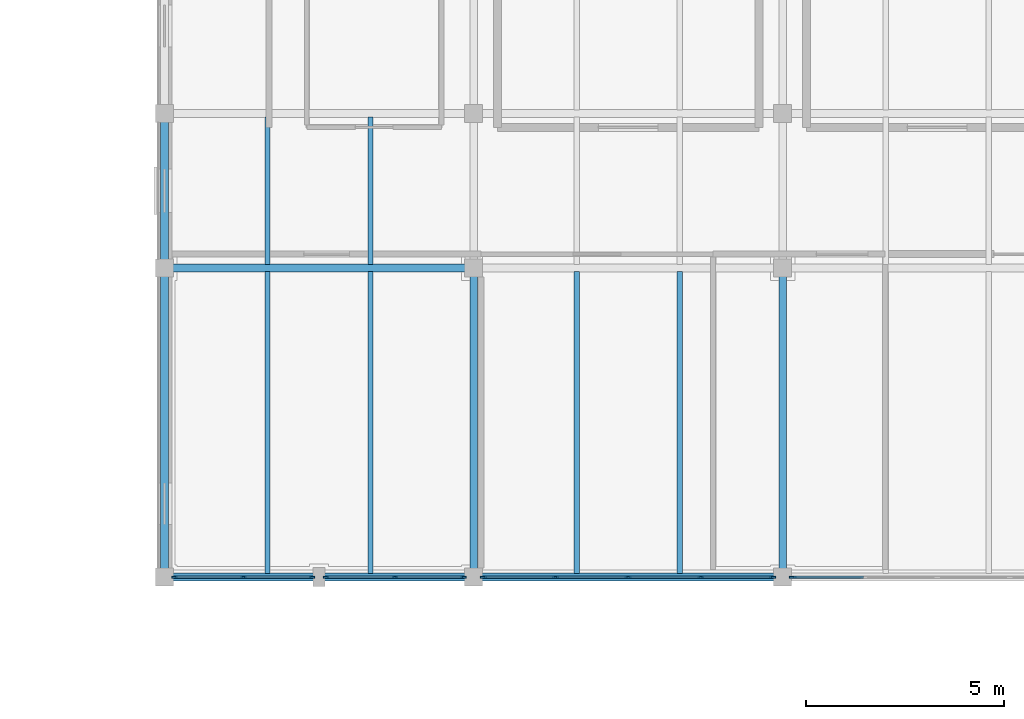
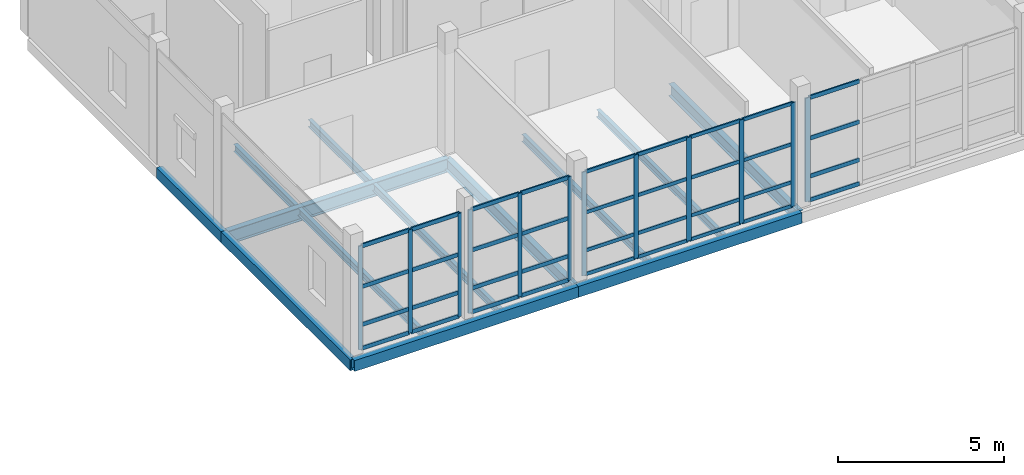
# One storey, part 8 of 45: 48 members, 13 beams, 4 elements without a shape of their own.
"""IFC4 building model written with IfcOpenShell, lengths in metres."""

from ifc_helpers import new_model, si_unit, direction, frame, origin, origin_2d, place, context, subcontext, project, spatial, rectangle, hollow_rectangle, i_section, extrude, material, layer, layer_set, material_profile, profile_set, type_object, element, aggregate, save


model = new_model("IFC4")

# Units and contexts
model_context = context("Model", 3, precision=1e-05, world=origin(), true_north=direction((0.0, 1.0)))
body_context = subcontext(model_context, "Body", "Model", "MODEL_VIEW")
ifc_project = project(units=[si_unit("LENGTHUNIT", "METRE"), si_unit("AREAUNIT", "SQUARE_METRE"), si_unit("VOLUMEUNIT", "CUBIC_METRE"), si_unit("PLANEANGLEUNIT", "RADIAN"), si_unit("MASSUNIT", "GRAM", prefix="KILO")], contexts=[model_context])

# Site, building, storey
site_placement = place(None, origin())
site = spatial("IfcSite", under=ifc_project, at=site_placement, CompositionType="ELEMENT")
building_placement = place(site_placement, origin())
building = spatial("IfcBuilding", under=site, at=building_placement, Name="Celorna Specialist Clinic", CompositionType="ELEMENT")
storey_placement = place(building_placement, frame((0.0, 0.0, 18.60009765625)))
storey = spatial("IfcBuildingStorey", under=building, at=storey_placement, Name="L04", CompositionType="ELEMENT", Elevation=18.60009765625)

# Beams
ifc_material_1 = material(Name="Steel S355", Category="steel")
ifc_material_profile_1 = material_profile(ifc_material_1, i_section(OverallWidth=0.199951171875, OverallDepth=0.5, WebThickness=0.01025390625, FlangeThickness=0.01611328125, at=origin_2d()), Name="IPE 500")
ifc_profile_set_1 = profile_set([ifc_material_profile_1], Name="Steel S355")
beam_type_1 = type_object("IfcBeamType", Name="BM-08", PredefinedType="BEAM", material=ifc_profile_set_1)
beam_1_placement = place(storey_placement, frame((46.800048828125, 104.300048828125, -0.530029296875), z_axis=(1.0, 0.0, 0.0), x_axis=(0.0, 1.0, 0.0)))
element("IfcBeam", 1, at=beam_1_placement, inside=storey, type_object=beam_type_1, Name="Primary girder BM-08 #1345", PredefinedType="BEAM", context=body_context, shape_type="SweptSolid", body=[
    extrude(i_section(OverallWidth=0.199951171875, OverallDepth=0.5, WebThickness=0.01025390625, FlangeThickness=0.01611328125, at=origin_2d()), origin(), (0.0, 0.0, 1.0), 7.800048828125),
])
ifc_material_profile_2 = material_profile(ifc_material_1, i_section(OverallWidth=0.18994140625, OverallDepth=0.449951171875, WebThickness=0.009521484375, FlangeThickness=0.0146484375, at=origin_2d()), Name="IPE 450")
ifc_profile_set_2 = profile_set([ifc_material_profile_2], Name="Steel S355")
beam_type_2 = type_object("IfcBeamType", Name="BM-09", PredefinedType="BEAM", material=ifc_profile_set_2)
for number, where, z_axis, x_axis, name in (
    (2, (54.60009765625, 96.5, -0.505126953125), (0.0, 1.0, 0.0), (-1.0, 0.0, 0.0), "Transverse girder BM-09 #1366"),
    (3, (62.39990234375, 96.5, -0.505126953125), (0.0, 1.0, 0.0), (-1.0, 0.0, 0.0), "Transverse girder BM-09 #1369"),
):
    element("IfcBeam", number, at=place(storey_placement, frame(where, z_axis=z_axis, x_axis=x_axis)), inside=storey, type_object=beam_type_2, Name=name, PredefinedType="BEAM", context=body_context, shape_type="SweptSolid", body=[
        extrude(i_section(OverallWidth=0.18994140625, OverallDepth=0.449951171875, WebThickness=0.009521484375, FlangeThickness=0.0146484375, at=origin_2d()), origin(), (0.0, 0.0, 1.0), 7.800048828125),
    ])
ifc_material_profile_3 = material_profile(ifc_material_1, i_section(OverallWidth=0.135009765625, OverallDepth=0.27001953125, WebThickness=0.006591796875, FlangeThickness=0.01025390625, at=origin_2d()), Name="IPE 270")
ifc_profile_set_3 = profile_set([ifc_material_profile_3], Name="Steel S355")
beam_type_3 = type_object("IfcBeamType", Name="BM-14", PredefinedType="JOIST", material=ifc_profile_set_3)
for number, where, z_axis, x_axis, name in (
    (4, (49.39990234375, 96.587890625, -0.4150390625), (0.0, 1.0, 0.0), (-1.0, 0.0, 0.0), "Secondary floor joist BM-14 #1384"),
    (5, (52.0, 96.587890625, -0.4150390625), (0.0, 1.0, 0.0), (-1.0, 0.0, 0.0), "Secondary floor joist BM-14 #1385"),
):
    element("IfcBeam", number, at=place(storey_placement, frame(where, z_axis=z_axis, x_axis=x_axis)), inside=storey, type_object=beam_type_3, Name=name, PredefinedType="JOIST", context=body_context, shape_type="SweptSolid", body=[
        extrude(i_section(OverallWidth=0.135009765625, OverallDepth=0.27001953125, WebThickness=0.006591796875, FlangeThickness=0.01025390625, at=origin_2d()), origin(), (0.0, 0.0, 1.0), 7.6240234375),
    ])
for number, where, z_axis, x_axis, name in (
    (6, (49.39990234375, 104.387939453125, -0.4150390625), (0.0, 1.0, 0.0), (-1.0, 0.0, 0.0), "Secondary floor joist BM-14 #1386"),
    (7, (52.0, 104.387939453125, -0.4150390625), (0.0, 1.0, 0.0), (-1.0, 0.0, 0.0), "Secondary floor joist BM-14 #1387"),
):
    element("IfcBeam", number, at=place(storey_placement, frame(where, z_axis=z_axis, x_axis=x_axis)), inside=storey, type_object=beam_type_3, Name=name, PredefinedType="JOIST", context=body_context, shape_type="SweptSolid", body=[
        extrude(i_section(OverallWidth=0.135009765625, OverallDepth=0.27001953125, WebThickness=0.006591796875, FlangeThickness=0.01025390625, at=origin_2d()), origin(), (0.0, 0.0, 1.0), 3.72412109375),
    ])
for number, where, z_axis, x_axis, name in (
    (8, (57.199951171875, 96.587890625, -0.4150390625), (0.0, 1.0, 0.0), (-1.0, 0.0, 0.0), "Secondary floor joist BM-14 #1388"),
    (9, (59.800048828125, 96.587890625, -0.4150390625), (0.0, 1.0, 0.0), (-1.0, 0.0, 0.0), "Secondary floor joist BM-14 #1389"),
):
    element("IfcBeam", number, at=place(storey_placement, frame(where, z_axis=z_axis, x_axis=x_axis)), inside=storey, type_object=beam_type_3, Name=name, PredefinedType="JOIST", context=body_context, shape_type="SweptSolid", body=[
        extrude(i_section(OverallWidth=0.135009765625, OverallDepth=0.27001953125, WebThickness=0.006591796875, FlangeThickness=0.01025390625, at=origin_2d()), origin(), (0.0, 0.0, 1.0), 7.6240234375),
    ])
ifc_material_profile_4 = material_profile(ifc_material_1, hollow_rectangle(XDim=0.199951171875, YDim=0.39990234375, WallThickness=0.011962890625, at=origin_2d()), Name="RHS 200x400x12")
ifc_profile_set_4 = profile_set([ifc_material_profile_4], Name="Steel S355")
beam_type_4 = type_object("IfcBeamType", Name="BM-15", PredefinedType="SPANDREL", material=ifc_profile_set_4)
beam_2_placement = place(storey_placement, frame((46.800048828125, 96.5, -0.47998046875), z_axis=(1.0, 0.0, 0.0), x_axis=(0.0, 1.0, 0.0)))
element("IfcBeam", 10, at=beam_2_placement, inside=storey, type_object=beam_type_4, Name="Spandrel beam BM-15 #1339", PredefinedType="SPANDREL", context=body_context, shape_type="SweptSolid", body=[
    extrude(hollow_rectangle(XDim=0.199951171875, YDim=0.39990234375, WallThickness=0.011962890625, at=origin_2d()), origin(), (0.0, 0.0, 1.0), 7.800048828125),
])
beam_3_placement = place(storey_placement, frame((54.60009765625, 96.5, -0.47998046875), z_axis=(1.0, 0.0, 0.0), x_axis=(0.0, 1.0, 0.0)))
element("IfcBeam", 11, at=beam_3_placement, inside=storey, type_object=beam_type_4, Name="Spandrel beam BM-15 #1340", PredefinedType="SPANDREL", context=body_context, shape_type="SweptSolid", body=[
    extrude(hollow_rectangle(XDim=0.199951171875, YDim=0.39990234375, WallThickness=0.011962890625, at=origin_2d()), origin(), (0.0, 0.0, 1.0), 7.7998046875),
])
beam_4_placement = place(storey_placement, frame((46.800048828125, 96.5, -0.47998046875), z_axis=(0.0, 1.0, 0.0), x_axis=(-1.0, 0.0, 0.0)))
element("IfcBeam", 12, at=beam_4_placement, inside=storey, type_object=beam_type_4, Name="Spandrel beam BM-15 #1363", PredefinedType="SPANDREL", context=body_context, shape_type="SweptSolid", body=[
    extrude(hollow_rectangle(XDim=0.199951171875, YDim=0.39990234375, WallThickness=0.011962890625, at=origin_2d()), origin(), (0.0, 0.0, 1.0), 7.800048828125),
])
beam_5_placement = place(storey_placement, frame((46.800048828125, 104.300048828125, -0.47998046875), z_axis=(0.0, 1.0, 0.0), x_axis=(-1.0, 0.0, 0.0)))
element("IfcBeam", 13, at=beam_5_placement, inside=storey, type_object=beam_type_4, Name="Spandrel beam BM-15 #1364", PredefinedType="SPANDREL", context=body_context, shape_type="SweptSolid", body=[
    extrude(hollow_rectangle(XDim=0.199951171875, YDim=0.39990234375, WallThickness=0.011962890625, at=origin_2d()), origin(), (0.0, 0.0, 1.0), 3.89990234375),
])

# Curtain wall, members
ifc_material_2 = material(Name="Thermally broken aluminium and solar-control glass curtain wall", Category="aluminium")
ifc_layer_1 = layer(ifc_material_2, 0.159912109375, Name="Thermally broken aluminium and solar-control glass curtain wall")
ifc_layer_set_1 = layer_set([ifc_layer_1], Name="Thermally broken aluminium and solar-control glass curtain wall")
curtain_wall_type_1 = type_object("IfcCurtainWallType", Name="CW-73", PredefinedType="NOTDEFINED", material=ifc_layer_set_1)
curtain_wall_1_placement = place(storey_placement, origin())
curtain_wall_1 = element("IfcCurtainWall", 14, at=curtain_wall_1_placement, inside=storey, type_object=curtain_wall_type_1, Name="Curtain wall CW-73 #139", PredefinedType="NOTDEFINED")
ifc_material_3 = material(Name="Anodized aluminium mullion", Category="aluminium")
ifc_material_profile_5 = material_profile(ifc_material_3, rectangle(XDim=0.050048828125, YDim=0.159912109375, at=origin_2d()), Name="ALU MULLION 50x160")
ifc_profile_set_5 = profile_set([ifc_material_profile_5], Name="Anodized aluminium mullion")
member_type_1 = type_object("IfcMemberType", Name="ML-01", PredefinedType="MULLION", material=ifc_profile_set_5)
member_1_placement = place(storey_placement, frame((62.14599609375, 96.5, 0.0), z_axis=(0.0, 0.0, 1.0), x_axis=(0.0, -1.0, 0.0)))
member_1 = element("IfcMember", 15, at=member_1_placement, type_object=member_type_1, Name="CW-73 mullion 1", PredefinedType="MULLION", context=body_context, shape_type="SweptSolid", body=[
    extrude(rectangle(XDim=0.050048828125, YDim=0.159912109375, at=origin_2d()), origin(), (0.0, 0.0, 1.0), 3.81982421875),
])
member_2_placement = place(storey_placement, frame((60.33544921875, 96.5, 0.0), z_axis=(0.0, 0.0, 1.0), x_axis=(0.0, -1.0, 0.0)))
member_2 = element("IfcMember", 16, at=member_2_placement, type_object=member_type_1, Name="CW-73 mullion 2", PredefinedType="MULLION", context=body_context, shape_type="SweptSolid", body=[
    extrude(rectangle(XDim=0.050048828125, YDim=0.159912109375, at=origin_2d()), origin(), (0.0, 0.0, 1.0), 3.81982421875),
])
member_3_placement = place(storey_placement, frame((58.5, 96.5, 0.0), z_axis=(0.0, 0.0, 1.0), x_axis=(0.0, -1.0, 0.0)))
member_3 = element("IfcMember", 17, at=member_3_placement, type_object=member_type_1, Name="CW-73 mullion 3", PredefinedType="MULLION", context=body_context, shape_type="SweptSolid", body=[
    extrude(rectangle(XDim=0.050048828125, YDim=0.159912109375, at=origin_2d()), origin(), (0.0, 0.0, 1.0), 3.81982421875),
])
member_4_placement = place(storey_placement, frame((56.66455078125, 96.5, 0.0), z_axis=(0.0, 0.0, 1.0), x_axis=(0.0, -1.0, 0.0)))
member_4 = element("IfcMember", 18, at=member_4_placement, type_object=member_type_1, Name="CW-73 mullion 4", PredefinedType="MULLION", context=body_context, shape_type="SweptSolid", body=[
    extrude(rectangle(XDim=0.050048828125, YDim=0.159912109375, at=origin_2d()), origin(), (0.0, 0.0, 1.0), 3.81982421875),
])
member_5_placement = place(storey_placement, frame((54.85400390625, 96.5, 0.0), z_axis=(0.0, 0.0, 1.0), x_axis=(0.0, -1.0, 0.0)))
member_5 = element("IfcMember", 19, at=member_5_placement, type_object=member_type_1, Name="CW-73 mullion 5", PredefinedType="MULLION", context=body_context, shape_type="SweptSolid", body=[
    extrude(rectangle(XDim=0.050048828125, YDim=0.159912109375, at=origin_2d()), origin(), (0.0, 0.0, 1.0), 3.81982421875),
])

# Curtain wall, member
ifc_layer_2 = layer(ifc_material_2, 0.159912109375, Name="Thermally broken aluminium and solar-control glass curtain wall")
ifc_layer_set_2 = layer_set([ifc_layer_2], Name="Thermally broken aluminium and solar-control glass curtain wall")
curtain_wall_type_2 = type_object("IfcCurtainWallType", Name="CW-74", PredefinedType="NOTDEFINED", material=ifc_layer_set_2)
curtain_wall_2_placement = place(storey_placement, origin())
curtain_wall_2 = element("IfcCurtainWall", 20, at=curtain_wall_2_placement, inside=storey, type_object=curtain_wall_type_2, Name="Curtain wall CW-74 #140", PredefinedType="NOTDEFINED")
ifc_material_profile_6 = material_profile(ifc_material_3, rectangle(XDim=0.050048828125, YDim=0.179931640625, at=origin_2d()), Name="ALU MULLION 50x180")
ifc_profile_set_6 = profile_set([ifc_material_profile_6], Name="Anodized aluminium mullion")
member_type_2 = type_object("IfcMemberType", Name="ML-02", PredefinedType="MULLION", material=ifc_profile_set_6)
member_6_placement = place(storey_placement, frame((62.654052734375, 96.5, 0.0), z_axis=(0.0, 0.0, 1.0), x_axis=(0.0, -1.0, 0.0)))
member_6 = element("IfcMember", 21, at=member_6_placement, type_object=member_type_2, Name="CW-74 mullion 5", PredefinedType="MULLION", context=body_context, shape_type="SweptSolid", body=[
    extrude(rectangle(XDim=0.050048828125, YDim=0.179931640625, at=origin_2d()), origin(), (0.0, 0.0, 1.0), 3.81982421875),
])

# Curtain wall, members
ifc_layer_3 = layer(ifc_material_2, 0.159912109375, Name="Thermally broken aluminium and solar-control glass curtain wall")
ifc_layer_set_3 = layer_set([ifc_layer_3], Name="Thermally broken aluminium and solar-control glass curtain wall")
curtain_wall_type_3 = type_object("IfcCurtainWallType", Name="CW-72", PredefinedType="NOTDEFINED", material=ifc_layer_set_3)
curtain_wall_3_placement = place(storey_placement, origin())
curtain_wall_3 = element("IfcCurtainWall", 22, at=curtain_wall_3_placement, inside=storey, type_object=curtain_wall_type_3, Name="Curtain wall CW-72 #137", PredefinedType="NOTDEFINED")
ifc_material_profile_7 = material_profile(ifc_material_3, rectangle(XDim=0.050048828125, YDim=0.139892578125, at=origin_2d()), Name="ALU MULLION 50x140")
ifc_profile_set_7 = profile_set([ifc_material_profile_7], Name="Anodized aluminium mullion")
member_type_3 = type_object("IfcMemberType", Name="ML-03", PredefinedType="MULLION", material=ifc_profile_set_7)
member_7_placement = place(storey_placement, frame((54.345947265625, 96.5, 0.0), z_axis=(0.0, 0.0, 1.0), x_axis=(0.0, -1.0, 0.0)))
member_7 = element("IfcMember", 23, at=member_7_placement, type_object=member_type_3, Name="CW-72 mullion 1", PredefinedType="MULLION", context=body_context, shape_type="SweptSolid", body=[
    extrude(rectangle(XDim=0.050048828125, YDim=0.139892578125, at=origin_2d()), origin(), (0.0, 0.0, 1.0), 3.81982421875),
])
member_8_placement = place(storey_placement, frame((52.612548828125, 96.5, 0.0), z_axis=(0.0, 0.0, 1.0), x_axis=(0.0, -1.0, 0.0)))
member_8 = element("IfcMember", 24, at=member_8_placement, type_object=member_type_3, Name="CW-72 mullion 2", PredefinedType="MULLION", context=body_context, shape_type="SweptSolid", body=[
    extrude(rectangle(XDim=0.050048828125, YDim=0.139892578125, at=origin_2d()), origin(), (0.0, 0.0, 1.0), 3.81982421875),
])
member_9_placement = place(storey_placement, frame((50.87890625, 96.5, 0.0), z_axis=(0.0, 0.0, 1.0), x_axis=(0.0, -1.0, 0.0)))
member_9 = element("IfcMember", 25, at=member_9_placement, type_object=member_type_3, Name="CW-72 mullion 3", PredefinedType="MULLION", context=body_context, shape_type="SweptSolid", body=[
    extrude(rectangle(XDim=0.050048828125, YDim=0.139892578125, at=origin_2d()), origin(), (0.0, 0.0, 1.0), 3.81982421875),
])

curtain_wall_4_placement = place(storey_placement, origin())
curtain_wall_4 = element("IfcCurtainWall", 26, at=curtain_wall_4_placement, inside=storey, type_object=curtain_wall_type_3, Name="Curtain wall CW-72 #138", PredefinedType="NOTDEFINED")
member_10_placement = place(storey_placement, frame((50.52099609375, 96.5, 0.0), z_axis=(0.0, 0.0, 1.0), x_axis=(0.0, -1.0, 0.0)))
member_10 = element("IfcMember", 27, at=member_10_placement, type_object=member_type_3, Name="CW-72 mullion 1", PredefinedType="MULLION", context=body_context, shape_type="SweptSolid", body=[
    extrude(rectangle(XDim=0.050048828125, YDim=0.139892578125, at=origin_2d()), origin(), (0.0, 0.0, 1.0), 3.81982421875),
])
member_11_placement = place(storey_placement, frame((48.78759765625, 96.5, 0.0), z_axis=(0.0, 0.0, 1.0), x_axis=(0.0, -1.0, 0.0)))
member_11 = element("IfcMember", 28, at=member_11_placement, type_object=member_type_3, Name="CW-72 mullion 2", PredefinedType="MULLION", context=body_context, shape_type="SweptSolid", body=[
    extrude(rectangle(XDim=0.050048828125, YDim=0.139892578125, at=origin_2d()), origin(), (0.0, 0.0, 1.0), 3.81982421875),
])
member_12_placement = place(storey_placement, frame((47.053955078125, 96.5, 0.0), z_axis=(0.0, 0.0, 1.0), x_axis=(0.0, -1.0, 0.0)))
member_12 = element("IfcMember", 29, at=member_12_placement, type_object=member_type_3, Name="CW-72 mullion 3", PredefinedType="MULLION", context=body_context, shape_type="SweptSolid", body=[
    extrude(rectangle(XDim=0.050048828125, YDim=0.139892578125, at=origin_2d()), origin(), (0.0, 0.0, 1.0), 3.81982421875),
])

# Member
ifc_material_4 = material(Name="Anodized aluminium transom", Category="aluminium")
ifc_material_profile_8 = material_profile(ifc_material_4, rectangle(XDim=0.050048828125, YDim=0.1298828125, at=origin_2d()), Name="ALU TRANSOM 50x130")
ifc_profile_set_8 = profile_set([ifc_material_profile_8], Name="Anodized aluminium transom")
member_type_4 = type_object("IfcMemberType", Name="TR-01", PredefinedType="USERDEFINED", material=ifc_profile_set_8)
member_13_placement = place(storey_placement, frame((62.12109375, 96.5, 0.02490234375), z_axis=(-1.0, 0.0, 0.0), x_axis=(0.0, -1.0, 0.0)))
member_13 = element("IfcMember", 30, at=member_13_placement, type_object=member_type_4, Name="CW-73 transom 1.1", ObjectType="TRANSOM", PredefinedType="USERDEFINED", context=body_context, shape_type="SweptSolid", body=[
    extrude(rectangle(XDim=0.050048828125, YDim=0.1298828125, at=origin_2d()), origin(), (0.0, 0.0, 1.0), 1.760498046875),
])

member_14_placement = place(storey_placement, frame((62.12109375, 96.5, 0.89990234375), z_axis=(-1.0, 0.0, 0.0), x_axis=(0.0, -1.0, 0.0)))
member_14 = element("IfcMember", 31, at=member_14_placement, type_object=member_type_4, Name="CW-73 transom 1.2", ObjectType="TRANSOM", PredefinedType="USERDEFINED", context=body_context, shape_type="SweptSolid", body=[
    extrude(rectangle(XDim=0.050048828125, YDim=0.1298828125, at=origin_2d()), origin(), (0.0, 0.0, 1.0), 1.760498046875),
])

member_15_placement = place(storey_placement, frame((62.12109375, 96.5, 2.2998046875), z_axis=(-1.0, 0.0, 0.0), x_axis=(0.0, -1.0, 0.0)))
member_15 = element("IfcMember", 32, at=member_15_placement, type_object=member_type_4, Name="CW-73 transom 1.3", ObjectType="TRANSOM", PredefinedType="USERDEFINED", context=body_context, shape_type="SweptSolid", body=[
    extrude(rectangle(XDim=0.050048828125, YDim=0.1298828125, at=origin_2d()), origin(), (0.0, 0.0, 1.0), 1.760498046875),
])

member_16_placement = place(storey_placement, frame((62.12109375, 96.5, 3.794921875), z_axis=(-1.0, 0.0, 0.0), x_axis=(0.0, -1.0, 0.0)))
member_16 = element("IfcMember", 33, at=member_16_placement, type_object=member_type_4, Name="CW-73 transom 1.4", ObjectType="TRANSOM", PredefinedType="USERDEFINED", context=body_context, shape_type="SweptSolid", body=[
    extrude(rectangle(XDim=0.050048828125, YDim=0.1298828125, at=origin_2d()), origin(), (0.0, 0.0, 1.0), 1.760498046875),
])

member_17_placement = place(storey_placement, frame((60.310546875, 96.5, 0.02490234375), z_axis=(-1.0, 0.0, 0.0), x_axis=(0.0, -1.0, 0.0)))
member_17 = element("IfcMember", 34, at=member_17_placement, type_object=member_type_4, Name="CW-73 transom 2.1", ObjectType="TRANSOM", PredefinedType="USERDEFINED", context=body_context, shape_type="SweptSolid", body=[
    extrude(rectangle(XDim=0.050048828125, YDim=0.1298828125, at=origin_2d()), origin(), (0.0, 0.0, 1.0), 1.78564453125),
])

member_18_placement = place(storey_placement, frame((60.310546875, 96.5, 0.89990234375), z_axis=(-1.0, 0.0, 0.0), x_axis=(0.0, -1.0, 0.0)))
member_18 = element("IfcMember", 35, at=member_18_placement, type_object=member_type_4, Name="CW-73 transom 2.2", ObjectType="TRANSOM", PredefinedType="USERDEFINED", context=body_context, shape_type="SweptSolid", body=[
    extrude(rectangle(XDim=0.050048828125, YDim=0.1298828125, at=origin_2d()), origin(), (0.0, 0.0, 1.0), 1.78564453125),
])

member_19_placement = place(storey_placement, frame((60.310546875, 96.5, 2.2998046875), z_axis=(-1.0, 0.0, 0.0), x_axis=(0.0, -1.0, 0.0)))
member_19 = element("IfcMember", 36, at=member_19_placement, type_object=member_type_4, Name="CW-73 transom 2.3", ObjectType="TRANSOM", PredefinedType="USERDEFINED", context=body_context, shape_type="SweptSolid", body=[
    extrude(rectangle(XDim=0.050048828125, YDim=0.1298828125, at=origin_2d()), origin(), (0.0, 0.0, 1.0), 1.78564453125),
])

member_20_placement = place(storey_placement, frame((60.310546875, 96.5, 3.794921875), z_axis=(-1.0, 0.0, 0.0), x_axis=(0.0, -1.0, 0.0)))
member_20 = element("IfcMember", 37, at=member_20_placement, type_object=member_type_4, Name="CW-73 transom 2.4", ObjectType="TRANSOM", PredefinedType="USERDEFINED", context=body_context, shape_type="SweptSolid", body=[
    extrude(rectangle(XDim=0.050048828125, YDim=0.1298828125, at=origin_2d()), origin(), (0.0, 0.0, 1.0), 1.78564453125),
])

member_21_placement = place(storey_placement, frame((58.47509765625, 96.5, 0.02490234375), z_axis=(-1.0, 0.0, 0.0), x_axis=(0.0, -1.0, 0.0)))
member_21 = element("IfcMember", 38, at=member_21_placement, type_object=member_type_4, Name="CW-73 transom 3.1", ObjectType="TRANSOM", PredefinedType="USERDEFINED", context=body_context, shape_type="SweptSolid", body=[
    extrude(rectangle(XDim=0.050048828125, YDim=0.1298828125, at=origin_2d()), origin(), (0.0, 0.0, 1.0), 1.78564453125),
])

member_22_placement = place(storey_placement, frame((58.47509765625, 96.5, 0.89990234375), z_axis=(-1.0, 0.0, 0.0), x_axis=(0.0, -1.0, 0.0)))
member_22 = element("IfcMember", 39, at=member_22_placement, type_object=member_type_4, Name="CW-73 transom 3.2", ObjectType="TRANSOM", PredefinedType="USERDEFINED", context=body_context, shape_type="SweptSolid", body=[
    extrude(rectangle(XDim=0.050048828125, YDim=0.1298828125, at=origin_2d()), origin(), (0.0, 0.0, 1.0), 1.78564453125),
])

member_23_placement = place(storey_placement, frame((58.47509765625, 96.5, 2.2998046875), z_axis=(-1.0, 0.0, 0.0), x_axis=(0.0, -1.0, 0.0)))
member_23 = element("IfcMember", 40, at=member_23_placement, type_object=member_type_4, Name="CW-73 transom 3.3", ObjectType="TRANSOM", PredefinedType="USERDEFINED", context=body_context, shape_type="SweptSolid", body=[
    extrude(rectangle(XDim=0.050048828125, YDim=0.1298828125, at=origin_2d()), origin(), (0.0, 0.0, 1.0), 1.78564453125),
])

member_24_placement = place(storey_placement, frame((58.47509765625, 96.5, 3.794921875), z_axis=(-1.0, 0.0, 0.0), x_axis=(0.0, -1.0, 0.0)))
member_24 = element("IfcMember", 41, at=member_24_placement, type_object=member_type_4, Name="CW-73 transom 3.4", ObjectType="TRANSOM", PredefinedType="USERDEFINED", context=body_context, shape_type="SweptSolid", body=[
    extrude(rectangle(XDim=0.050048828125, YDim=0.1298828125, at=origin_2d()), origin(), (0.0, 0.0, 1.0), 1.78564453125),
])

member_25_placement = place(storey_placement, frame((56.639404296875, 96.5, 0.02490234375), z_axis=(-1.0, 0.0, 0.0), x_axis=(0.0, -1.0, 0.0)))
member_25 = element("IfcMember", 42, at=member_25_placement, type_object=member_type_4, Name="CW-73 transom 4.1", ObjectType="TRANSOM", PredefinedType="USERDEFINED", context=body_context, shape_type="SweptSolid", body=[
    extrude(rectangle(XDim=0.050048828125, YDim=0.1298828125, at=origin_2d()), origin(), (0.0, 0.0, 1.0), 1.760498046875),
])

member_26_placement = place(storey_placement, frame((56.639404296875, 96.5, 0.89990234375), z_axis=(-1.0, 0.0, 0.0), x_axis=(0.0, -1.0, 0.0)))
member_26 = element("IfcMember", 43, at=member_26_placement, type_object=member_type_4, Name="CW-73 transom 4.2", ObjectType="TRANSOM", PredefinedType="USERDEFINED", context=body_context, shape_type="SweptSolid", body=[
    extrude(rectangle(XDim=0.050048828125, YDim=0.1298828125, at=origin_2d()), origin(), (0.0, 0.0, 1.0), 1.760498046875),
])

member_27_placement = place(storey_placement, frame((56.639404296875, 96.5, 2.2998046875), z_axis=(-1.0, 0.0, 0.0), x_axis=(0.0, -1.0, 0.0)))
member_27 = element("IfcMember", 44, at=member_27_placement, type_object=member_type_4, Name="CW-73 transom 4.3", ObjectType="TRANSOM", PredefinedType="USERDEFINED", context=body_context, shape_type="SweptSolid", body=[
    extrude(rectangle(XDim=0.050048828125, YDim=0.1298828125, at=origin_2d()), origin(), (0.0, 0.0, 1.0), 1.760498046875),
])

member_28_placement = place(storey_placement, frame((56.639404296875, 96.5, 3.794921875), z_axis=(-1.0, 0.0, 0.0), x_axis=(0.0, -1.0, 0.0)))
member_28 = element("IfcMember", 45, at=member_28_placement, type_object=member_type_4, Name="CW-73 transom 4.4", ObjectType="TRANSOM", PredefinedType="USERDEFINED", context=body_context, shape_type="SweptSolid", body=[
    extrude(rectangle(XDim=0.050048828125, YDim=0.1298828125, at=origin_2d()), origin(), (0.0, 0.0, 1.0), 1.760498046875),
])

aggregate(curtain_wall_1, [member_1, member_2, member_3, member_4, member_5, member_13, member_14, member_15, member_16, member_17, member_18, member_19, member_20, member_21, member_22, member_23, member_24, member_25, member_26, member_27, member_28])

ifc_material_profile_9 = material_profile(ifc_material_4, rectangle(XDim=0.050048828125, YDim=0.14990234375, at=origin_2d()), Name="ALU TRANSOM 50x150")
ifc_profile_set_9 = profile_set([ifc_material_profile_9], Name="Anodized aluminium transom")
member_type_5 = type_object("IfcMemberType", Name="TR-02", PredefinedType="USERDEFINED", material=ifc_profile_set_9)
member_29_placement = place(storey_placement, frame((54.321044921875, 96.5, 0.02490234375), z_axis=(-1.0, 0.0, 0.0), x_axis=(0.0, -1.0, 0.0)))
member_29 = element("IfcMember", 46, at=member_29_placement, type_object=member_type_5, Name="CW-72 transom 1.1", ObjectType="TRANSOM", PredefinedType="USERDEFINED", context=body_context, shape_type="SweptSolid", body=[
    extrude(rectangle(XDim=0.050048828125, YDim=0.14990234375, at=origin_2d()), origin(), (0.0, 0.0, 1.0), 1.68359375),
])

member_30_placement = place(storey_placement, frame((54.321044921875, 96.5, 0.89990234375), z_axis=(-1.0, 0.0, 0.0), x_axis=(0.0, -1.0, 0.0)))
member_30 = element("IfcMember", 47, at=member_30_placement, type_object=member_type_5, Name="CW-72 transom 1.2", ObjectType="TRANSOM", PredefinedType="USERDEFINED", context=body_context, shape_type="SweptSolid", body=[
    extrude(rectangle(XDim=0.050048828125, YDim=0.14990234375, at=origin_2d()), origin(), (0.0, 0.0, 1.0), 1.68359375),
])

member_31_placement = place(storey_placement, frame((54.321044921875, 96.5, 2.2998046875), z_axis=(-1.0, 0.0, 0.0), x_axis=(0.0, -1.0, 0.0)))
member_31 = element("IfcMember", 48, at=member_31_placement, type_object=member_type_5, Name="CW-72 transom 1.3", ObjectType="TRANSOM", PredefinedType="USERDEFINED", context=body_context, shape_type="SweptSolid", body=[
    extrude(rectangle(XDim=0.050048828125, YDim=0.14990234375, at=origin_2d()), origin(), (0.0, 0.0, 1.0), 1.68359375),
])

member_32_placement = place(storey_placement, frame((54.321044921875, 96.5, 3.794921875), z_axis=(-1.0, 0.0, 0.0), x_axis=(0.0, -1.0, 0.0)))
member_32 = element("IfcMember", 49, at=member_32_placement, type_object=member_type_5, Name="CW-72 transom 1.4", ObjectType="TRANSOM", PredefinedType="USERDEFINED", context=body_context, shape_type="SweptSolid", body=[
    extrude(rectangle(XDim=0.050048828125, YDim=0.14990234375, at=origin_2d()), origin(), (0.0, 0.0, 1.0), 1.68359375),
])

member_33_placement = place(storey_placement, frame((52.58740234375, 96.5, 0.02490234375), z_axis=(-1.0, 0.0, 0.0), x_axis=(0.0, -1.0, 0.0)))
member_33 = element("IfcMember", 50, at=member_33_placement, type_object=member_type_5, Name="CW-72 transom 2.1", ObjectType="TRANSOM", PredefinedType="USERDEFINED", context=body_context, shape_type="SweptSolid", body=[
    extrude(rectangle(XDim=0.050048828125, YDim=0.14990234375, at=origin_2d()), origin(), (0.0, 0.0, 1.0), 1.683349609375),
])

member_34_placement = place(storey_placement, frame((52.58740234375, 96.5, 0.89990234375), z_axis=(-1.0, 0.0, 0.0), x_axis=(0.0, -1.0, 0.0)))
member_34 = element("IfcMember", 51, at=member_34_placement, type_object=member_type_5, Name="CW-72 transom 2.2", ObjectType="TRANSOM", PredefinedType="USERDEFINED", context=body_context, shape_type="SweptSolid", body=[
    extrude(rectangle(XDim=0.050048828125, YDim=0.14990234375, at=origin_2d()), origin(), (0.0, 0.0, 1.0), 1.683349609375),
])

member_35_placement = place(storey_placement, frame((52.58740234375, 96.5, 2.2998046875), z_axis=(-1.0, 0.0, 0.0), x_axis=(0.0, -1.0, 0.0)))
member_35 = element("IfcMember", 52, at=member_35_placement, type_object=member_type_5, Name="CW-72 transom 2.3", ObjectType="TRANSOM", PredefinedType="USERDEFINED", context=body_context, shape_type="SweptSolid", body=[
    extrude(rectangle(XDim=0.050048828125, YDim=0.14990234375, at=origin_2d()), origin(), (0.0, 0.0, 1.0), 1.683349609375),
])

member_36_placement = place(storey_placement, frame((52.58740234375, 96.5, 3.794921875), z_axis=(-1.0, 0.0, 0.0), x_axis=(0.0, -1.0, 0.0)))
member_36 = element("IfcMember", 53, at=member_36_placement, type_object=member_type_5, Name="CW-72 transom 2.4", ObjectType="TRANSOM", PredefinedType="USERDEFINED", context=body_context, shape_type="SweptSolid", body=[
    extrude(rectangle(XDim=0.050048828125, YDim=0.14990234375, at=origin_2d()), origin(), (0.0, 0.0, 1.0), 1.683349609375),
])

aggregate(curtain_wall_3, [member_7, member_8, member_9, member_29, member_30, member_31, member_32, member_33, member_34, member_35, member_36])

member_37_placement = place(storey_placement, frame((50.49609375, 96.5, 0.02490234375), z_axis=(-1.0, 0.0, 0.0), x_axis=(0.0, -1.0, 0.0)))
member_37 = element("IfcMember", 54, at=member_37_placement, type_object=member_type_5, Name="CW-72 transom 1.1", ObjectType="TRANSOM", PredefinedType="USERDEFINED", context=body_context, shape_type="SweptSolid", body=[
    extrude(rectangle(XDim=0.050048828125, YDim=0.14990234375, at=origin_2d()), origin(), (0.0, 0.0, 1.0), 1.68359375),
])

member_38_placement = place(storey_placement, frame((50.49609375, 96.5, 0.89990234375), z_axis=(-1.0, 0.0, 0.0), x_axis=(0.0, -1.0, 0.0)))
member_38 = element("IfcMember", 55, at=member_38_placement, type_object=member_type_5, Name="CW-72 transom 1.2", ObjectType="TRANSOM", PredefinedType="USERDEFINED", context=body_context, shape_type="SweptSolid", body=[
    extrude(rectangle(XDim=0.050048828125, YDim=0.14990234375, at=origin_2d()), origin(), (0.0, 0.0, 1.0), 1.68359375),
])

member_39_placement = place(storey_placement, frame((50.49609375, 96.5, 2.2998046875), z_axis=(-1.0, 0.0, 0.0), x_axis=(0.0, -1.0, 0.0)))
member_39 = element("IfcMember", 56, at=member_39_placement, type_object=member_type_5, Name="CW-72 transom 1.3", ObjectType="TRANSOM", PredefinedType="USERDEFINED", context=body_context, shape_type="SweptSolid", body=[
    extrude(rectangle(XDim=0.050048828125, YDim=0.14990234375, at=origin_2d()), origin(), (0.0, 0.0, 1.0), 1.68359375),
])

member_40_placement = place(storey_placement, frame((50.49609375, 96.5, 3.794921875), z_axis=(-1.0, 0.0, 0.0), x_axis=(0.0, -1.0, 0.0)))
member_40 = element("IfcMember", 57, at=member_40_placement, type_object=member_type_5, Name="CW-72 transom 1.4", ObjectType="TRANSOM", PredefinedType="USERDEFINED", context=body_context, shape_type="SweptSolid", body=[
    extrude(rectangle(XDim=0.050048828125, YDim=0.14990234375, at=origin_2d()), origin(), (0.0, 0.0, 1.0), 1.68359375),
])

member_41_placement = place(storey_placement, frame((48.762451171875, 96.5, 0.02490234375), z_axis=(-1.0, 0.0, 0.0), x_axis=(0.0, -1.0, 0.0)))
member_41 = element("IfcMember", 58, at=member_41_placement, type_object=member_type_5, Name="CW-72 transom 2.1", ObjectType="TRANSOM", PredefinedType="USERDEFINED", context=body_context, shape_type="SweptSolid", body=[
    extrude(rectangle(XDim=0.050048828125, YDim=0.14990234375, at=origin_2d()), origin(), (0.0, 0.0, 1.0), 1.683349609375),
])

member_42_placement = place(storey_placement, frame((48.762451171875, 96.5, 0.89990234375), z_axis=(-1.0, 0.0, 0.0), x_axis=(0.0, -1.0, 0.0)))
member_42 = element("IfcMember", 59, at=member_42_placement, type_object=member_type_5, Name="CW-72 transom 2.2", ObjectType="TRANSOM", PredefinedType="USERDEFINED", context=body_context, shape_type="SweptSolid", body=[
    extrude(rectangle(XDim=0.050048828125, YDim=0.14990234375, at=origin_2d()), origin(), (0.0, 0.0, 1.0), 1.683349609375),
])

member_43_placement = place(storey_placement, frame((48.762451171875, 96.5, 2.2998046875), z_axis=(-1.0, 0.0, 0.0), x_axis=(0.0, -1.0, 0.0)))
member_43 = element("IfcMember", 60, at=member_43_placement, type_object=member_type_5, Name="CW-72 transom 2.3", ObjectType="TRANSOM", PredefinedType="USERDEFINED", context=body_context, shape_type="SweptSolid", body=[
    extrude(rectangle(XDim=0.050048828125, YDim=0.14990234375, at=origin_2d()), origin(), (0.0, 0.0, 1.0), 1.683349609375),
])

member_44_placement = place(storey_placement, frame((48.762451171875, 96.5, 3.794921875), z_axis=(-1.0, 0.0, 0.0), x_axis=(0.0, -1.0, 0.0)))
member_44 = element("IfcMember", 61, at=member_44_placement, type_object=member_type_5, Name="CW-72 transom 2.4", ObjectType="TRANSOM", PredefinedType="USERDEFINED", context=body_context, shape_type="SweptSolid", body=[
    extrude(rectangle(XDim=0.050048828125, YDim=0.14990234375, at=origin_2d()), origin(), (0.0, 0.0, 1.0), 1.683349609375),
])

aggregate(curtain_wall_4, [member_10, member_11, member_12, member_37, member_38, member_39, member_40, member_41, member_42, member_43, member_44])

member_45_placement = place(storey_placement, frame((64.439453125, 96.5, 0.02490234375), z_axis=(-1.0, 0.0, 0.0), x_axis=(0.0, -1.0, 0.0)))
member_45 = element("IfcMember", 62, at=member_45_placement, type_object=member_type_5, Name="CW-74 transom 4.1", ObjectType="TRANSOM", PredefinedType="USERDEFINED", context=body_context, shape_type="SweptSolid", body=[
    extrude(rectangle(XDim=0.050048828125, YDim=0.14990234375, at=origin_2d()), origin(), (0.0, 0.0, 1.0), 1.760498046875),
])

member_46_placement = place(storey_placement, frame((64.439453125, 96.5, 0.89990234375), z_axis=(-1.0, 0.0, 0.0), x_axis=(0.0, -1.0, 0.0)))
member_46 = element("IfcMember", 63, at=member_46_placement, type_object=member_type_5, Name="CW-74 transom 4.2", ObjectType="TRANSOM", PredefinedType="USERDEFINED", context=body_context, shape_type="SweptSolid", body=[
    extrude(rectangle(XDim=0.050048828125, YDim=0.14990234375, at=origin_2d()), origin(), (0.0, 0.0, 1.0), 1.760498046875),
])

member_47_placement = place(storey_placement, frame((64.439453125, 96.5, 2.2998046875), z_axis=(-1.0, 0.0, 0.0), x_axis=(0.0, -1.0, 0.0)))
member_47 = element("IfcMember", 64, at=member_47_placement, type_object=member_type_5, Name="CW-74 transom 4.3", ObjectType="TRANSOM", PredefinedType="USERDEFINED", context=body_context, shape_type="SweptSolid", body=[
    extrude(rectangle(XDim=0.050048828125, YDim=0.14990234375, at=origin_2d()), origin(), (0.0, 0.0, 1.0), 1.760498046875),
])

member_48_placement = place(storey_placement, frame((64.439453125, 96.5, 3.794921875), z_axis=(-1.0, 0.0, 0.0), x_axis=(0.0, -1.0, 0.0)))
member_48 = element("IfcMember", 65, at=member_48_placement, type_object=member_type_5, Name="CW-74 transom 4.4", ObjectType="TRANSOM", PredefinedType="USERDEFINED", context=body_context, shape_type="SweptSolid", body=[
    extrude(rectangle(XDim=0.050048828125, YDim=0.14990234375, at=origin_2d()), origin(), (0.0, 0.0, 1.0), 1.760498046875),
])

aggregate(curtain_wall_2, [member_6, member_45, member_46, member_47, member_48])

save(model, "model.ifc")
